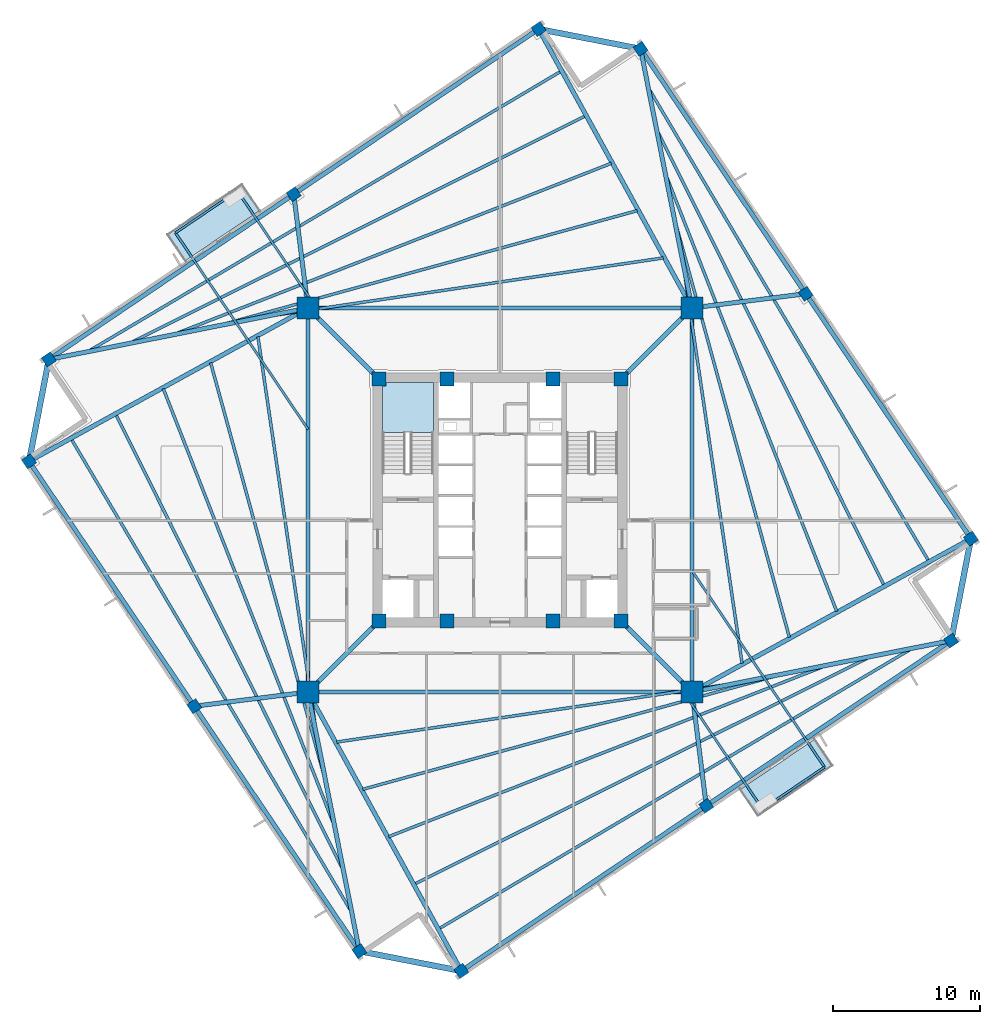
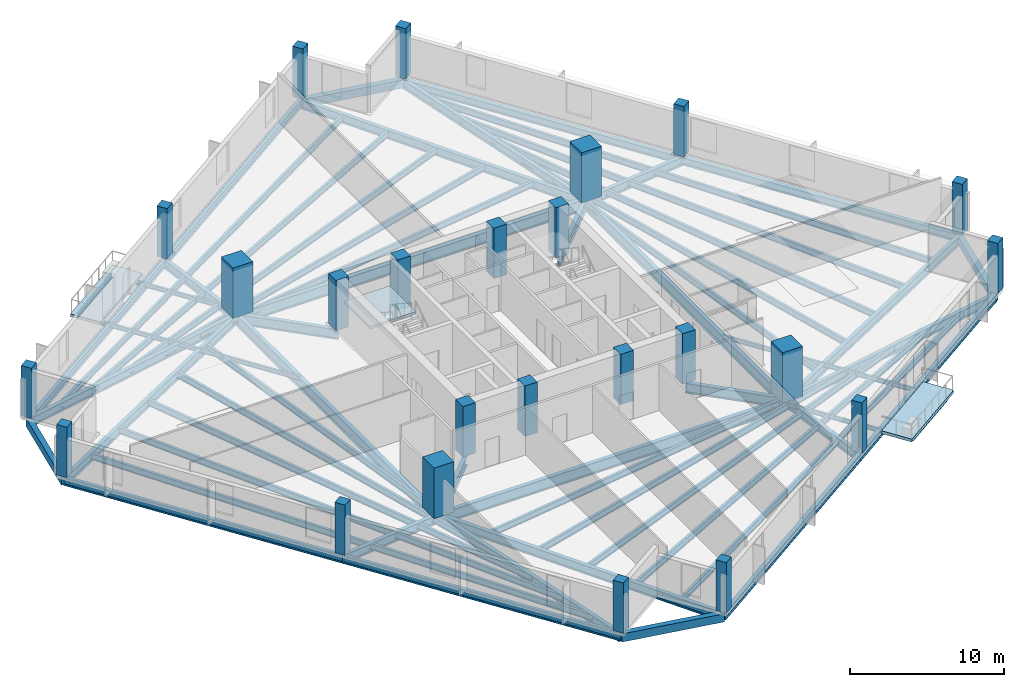
# One storey, part 1 of 8: 58 beams, 24 columns, 3 slabs, 1 element without a shape of its own.
"""IFC4 building model written with IfcOpenShell, lengths in metres."""

from ifc_helpers import new_model, si_unit, direction, frame, origin, origin_2d, place, context, subcontext, project, spatial, polyline, rectangle, i_section, outline, extrude, source, transform, mapped, material, layer, layer_set, material_profile, profile_set, type_object, element, aggregate, save


model = new_model("IFC4")

# Units and contexts
model_context = context("Model", 3, precision=1e-05, world=origin(), true_north=direction((0.0, 1.0)))
body_context = subcontext(model_context, "Body", "Model", "MODEL_VIEW")
ifc_project = project(units=[si_unit("LENGTHUNIT", "METRE"), si_unit("AREAUNIT", "SQUARE_METRE"), si_unit("VOLUMEUNIT", "CUBIC_METRE"), si_unit("PLANEANGLEUNIT", "RADIAN"), si_unit("MASSUNIT", "GRAM", prefix="KILO"), si_unit("THERMODYNAMICTEMPERATUREUNIT", "KELVIN")], contexts=[model_context])

# Site, building, storey
site_placement = place(None, origin())
site = spatial("IfcSite", under=ifc_project, at=site_placement, CompositionType="ELEMENT")
building_placement = place(site_placement, origin())
building = spatial("IfcBuilding", under=site, at=building_placement, Name="Kosmvard Interchange Tower", CompositionType="ELEMENT")
storey_placement = place(building_placement, frame((0.0, 0.0, 148.39990234375)))
storey = spatial("IfcBuildingStorey", under=building, at=storey_placement, Name="L35", CompositionType="ELEMENT", Elevation=148.39990234375)

# Columns
ifc_material_1 = material(Name="Concrete C60/75", Category="concrete")
ifc_material_profile_1 = material_profile(ifc_material_1, rectangle(XDim=0.949951171875, YDim=0.949951171875, at=origin_2d()), Name="CP 950x950")
ifc_profile_set_1 = profile_set([ifc_material_profile_1], Name="Concrete C60/75")
column_type_1 = type_object("IfcColumnType", Name="Core Boundary Pilaster 950x950 C60/75", PredefinedType="PILASTER", material=ifc_profile_set_1)
shared_shape_1 = source(origin(), body_context, "Body", "SweptSolid", [
    extrude(rectangle(XDim=0.949951171875, YDim=0.949951171875, at=origin_2d()), origin(), (0.0, 0.0, 1.0), 4.0),
])
for number, where, z_axis, x_axis, name in (
    (1, (-8.25, -8.25, 0.0), (0.0, 0.0, 1.0), (1.0, 0.0, 0.0), "L35 Core Pilaster CP1"),
    (2, (8.25, -8.25, 0.0), (0.0, 0.0, 1.0), (1.0, 0.0, 0.0), "L35 Core Pilaster CP2"),
    (3, (8.25, 8.25, 0.0), (0.0, 0.0, 1.0), (1.0, 0.0, 0.0), "L35 Core Pilaster CP3"),
    (4, (-8.25, 8.25, 0.0), (0.0, 0.0, 1.0), (1.0, 0.0, 0.0), "L35 Core Pilaster CP4"),
    (5, (-3.60009765625, -8.25, 0.0), (0.0, 0.0, 1.0), (1.0, 0.0, 0.0), "L35 Core Pilaster CP5"),
    (6, (3.60009765625, -8.25, 0.0), (0.0, 0.0, 1.0), (1.0, 0.0, 0.0), "L35 Core Pilaster CP6"),
    (7, (-3.60009765625, 8.25, 0.0), (0.0, 0.0, 1.0), (1.0, 0.0, 0.0), "L35 Core Pilaster CP7"),
    (8, (3.60009765625, 8.25, 0.0), (0.0, 0.0, 1.0), (1.0, 0.0, 0.0), "L35 Core Pilaster CP8"),
):
    element("IfcColumn", number, at=place(storey_placement, frame(where, z_axis=z_axis, x_axis=x_axis)), inside=storey, type_object=column_type_1, Name=name, PredefinedType="PILASTER", context=body_context, shape_type="MappedRepresentation", body=[
        mapped(shared_shape_1, transform((0.0, 0.0, 0.0), scale=1.0)),
    ])
ifc_material_profile_2 = material_profile(ifc_material_1, rectangle(XDim=1.5, YDim=1.5, at=origin_2d()), Name="MC 1500x1500")
ifc_profile_set_2 = profile_set([ifc_material_profile_2], Name="Concrete C60/75")
column_type_2 = type_object("IfcColumnType", Name="Composite Mega-Column 1500x1500 C60/75", PredefinedType="COLUMN", material=ifc_profile_set_2)
shared_shape_2 = source(origin(), body_context, "Body", "SweptSolid", [
    extrude(rectangle(XDim=1.5, YDim=1.5, at=origin_2d()), origin(), (0.0, 0.0, 1.0), 4.0),
])
for number, where, z_axis, x_axis, name in (
    (9, (-13.0810546875, -13.0810546875, 0.0), (0.0, 0.0, 1.0), (1.0, 0.0, 0.0), "L35 Corner Mega-Column MC1"),
    (10, (13.0810546875, -13.0810546875, 0.0), (0.0, 0.0, 1.0), (1.0, 0.0, 0.0), "L35 Corner Mega-Column MC2"),
    (11, (13.0810546875, 13.0810546875, 0.0), (0.0, 0.0, 1.0), (1.0, 0.0, 0.0), "L35 Corner Mega-Column MC3"),
    (12, (-13.0810546875, 13.0810546875, 0.0), (0.0, 0.0, 1.0), (1.0, 0.0, 0.0), "L35 Corner Mega-Column MC4"),
):
    element("IfcColumn", number, at=place(storey_placement, frame(where, z_axis=z_axis, x_axis=x_axis)), inside=storey, type_object=column_type_2, Name=name, PredefinedType="COLUMN", context=body_context, shape_type="MappedRepresentation", body=[
        mapped(shared_shape_2, transform((0.0, 0.0, 0.0), scale=1.0)),
    ])
ifc_material_2 = material(Name="Concrete C50/60", Category="concrete")
ifc_material_profile_3 = material_profile(ifc_material_2, rectangle(XDim=0.75, YDim=0.75, at=origin_2d()), Name="TC 750x750")
ifc_profile_set_3 = profile_set([ifc_material_profile_3], Name="Concrete C50/60")
column_type_3 = type_object("IfcColumnType", Name="Zone 3 Perimeter Pier Column 750x750 C50/60", PredefinedType="COLUMN", material=ifc_profile_set_3)
shared_shape_3 = source(origin(), body_context, "Body", "SweptSolid", [
    extrude(rectangle(XDim=0.75, YDim=0.75, at=origin_2d()), origin(), (0.0, 0.0, 1.0), 4.0),
])
for number, where, z_axis, x_axis, name in (
    (13, (-2.634765625, -32.083251953125, 0.0), (0.0, 0.0, 1.0), (0.829037572555, 0.559192903471, 0.0), "L35 Perimeter Pier Column TC-S1"),
    (14, (14.0498046875, -20.82958984375, 0.0), (0.0, 0.0, 1.0), (0.829037572555, 0.559192903471, 0.0), "L35 Perimeter Pier Column TC-S2"),
    (15, (30.734130859375, -9.575927734375, 0.0), (0.0, 0.0, 1.0), (0.829037572555, 0.559192903471, 0.0), "L35 Perimeter Pier Column TC-S3"),
    (16, (32.083251953125, -2.634765625, 0.0), (0.0, 0.0, 1.0), (0.829037572555, 0.559192903471, 0.0), "L35 Perimeter Pier Column TC-E1"),
    (17, (20.82958984375, 14.0498046875, 0.0), (0.0, 0.0, 1.0), (0.829037572555, 0.559192903471, 0.0), "L35 Perimeter Pier Column TC-E2"),
    (18, (9.575927734375, 30.734130859375, 0.0), (0.0, 0.0, 1.0), (0.829037572555, 0.559192903471, 0.0), "L35 Perimeter Pier Column TC-E3"),
    (19, (2.634765625, 32.083251953125, 0.0), (0.0, 0.0, 1.0), (0.829037572555, 0.559192903471, 0.0), "L35 Perimeter Pier Column TC-N1"),
    (20, (-14.0498046875, 20.82958984375, 0.0), (0.0, 0.0, 1.0), (0.829037572555, 0.559192903471, 0.0), "L35 Perimeter Pier Column TC-N2"),
    (21, (-30.734130859375, 9.575927734375, 0.0), (0.0, 0.0, 1.0), (0.829037572555, 0.559192903471, 0.0), "L35 Perimeter Pier Column TC-N3"),
    (22, (-32.083251953125, 2.634765625, 0.0), (0.0, 0.0, 1.0), (0.829037572555, 0.559192903471, 0.0), "L35 Perimeter Pier Column TC-W1"),
    (23, (-20.82958984375, -14.0498046875, 0.0), (0.0, 0.0, 1.0), (0.829037572555, 0.559192903471, 0.0), "L35 Perimeter Pier Column TC-W2"),
    (24, (-9.575927734375, -30.734130859375, 0.0), (0.0, 0.0, 1.0), (0.829037572555, 0.559192903471, 0.0), "L35 Perimeter Pier Column TC-W3"),
):
    element("IfcColumn", number, at=place(storey_placement, frame(where, z_axis=z_axis, x_axis=x_axis)), inside=storey, type_object=column_type_3, Name=name, PredefinedType="COLUMN", context=body_context, shape_type="MappedRepresentation", body=[
        mapped(shared_shape_3, transform((0.0, 0.0, 0.0), scale=1.0)),
    ])

# Beams
ifc_material_3 = material(Name="Steel S355", Category="steel")
ifc_material_profile_4 = material_profile(ifc_material_3, i_section(OverallWidth=0.14990234375, OverallDepth=0.300048828125, WebThickness=0.007080078125, FlangeThickness=0.0107421875, FilletRadius=0.014892578125, at=origin_2d()), Name="IPE 300")
ifc_profile_set_4 = profile_set([ifc_material_profile_4], Name="Steel S355")
beam_type_1 = type_object("IfcBeamType", Name="Balcony Edge Header Joist IPE 300 S355", PredefinedType="JOIST", material=ifc_profile_set_4)
shared_shape_4 = source(origin(), body_context, "Body", "SweptSolid", [
    extrude(i_section(OverallWidth=0.14990234375, OverallDepth=0.300048828125, WebThickness=0.007080078125, FlangeThickness=0.0107421875, FilletRadius=0.014892578125, at=origin_2d()), origin(), (0.0, 0.0, 1.0), 5.099853515625),
])
for number, where, z_axis, x_axis, name in (
    (25, (-17.87841796875, 21.051513671875, -0.409912109375), (-0.82904064614, -0.559188346666, 0.0), (0.559188346666, -0.82904064614, 0.0), "BM-L35-BJH1"),
    (26, (17.87841796875, -21.051513671875, -0.409912109375), (0.82904064614, 0.559188346666, 0.0), (-0.559188346666, 0.82904064614, 0.0), "BM-L35-BJH2"),
):
    element("IfcBeam", number, at=place(storey_placement, frame(where, z_axis=z_axis, x_axis=x_axis)), inside=storey, type_object=beam_type_1, Name=name, PredefinedType="JOIST", context=body_context, shape_type="MappedRepresentation", body=[
        mapped(shared_shape_4, transform((0.0, 0.0, 0.0), scale=1.0)),
    ])
ifc_material_profile_5 = material_profile(ifc_material_3, i_section(OverallWidth=0.300048828125, OverallDepth=0.800048828125, WebThickness=0.017578125, FlangeThickness=0.032958984375, FilletRadius=0.027099609375, at=origin_2d()), Name="HEB 800")
ifc_profile_set_5 = profile_set([ifc_material_profile_5], Name="Steel S355")
beam_type_2 = type_object("IfcBeamType", Name="Primary Mega-Frame Girder HEB 800 S355", PredefinedType="BEAM", material=ifc_profile_set_5)
shared_shape_5 = source(origin(), body_context, "Body", "SweptSolid", [
    extrude(i_section(OverallWidth=0.300048828125, OverallDepth=0.800048828125, WebThickness=0.017578125, FlangeThickness=0.032958984375, FilletRadius=0.027099609375, at=origin_2d()), origin(), (0.0, 0.0, 1.0), 6.83203125),
])
for number, where, z_axis, x_axis, name in (
    (27, (-8.25, -8.25, -0.659912109375), (-0.707106781187, -0.707106781187, 0.0), (0.707106781187, -0.707106781187, 0.0), "L35 Radial Mega-Frame Girder 1"),
    (28, (8.25, -8.25, -0.659912109375), (0.707106781187, -0.707106781187, 0.0), (0.707106781187, 0.707106781187, 0.0), "L35 Radial Mega-Frame Girder 2"),
    (29, (8.25, 8.25, -0.659912109375), (0.707106781187, 0.707106781187, 0.0), (-0.707106781187, 0.707106781187, 0.0), "L35 Radial Mega-Frame Girder 3"),
    (30, (-8.25, 8.25, -0.659912109375), (-0.707106781187, 0.707106781187, 0.0), (-0.707106781187, -0.707106781187, 0.0), "L35 Radial Mega-Frame Girder 4"),
):
    element("IfcBeam", number, at=place(storey_placement, frame(where, z_axis=z_axis, x_axis=x_axis)), inside=storey, type_object=beam_type_2, Name=name, PredefinedType="BEAM", context=body_context, shape_type="MappedRepresentation", body=[
        mapped(shared_shape_5, transform((0.0, 0.0, 0.0), scale=1.0)),
    ])
ifc_material_profile_6 = material_profile(ifc_material_3, i_section(OverallWidth=0.300048828125, OverallDepth=0.89990234375, WebThickness=0.0185546875, FlangeThickness=0.034912109375, FilletRadius=0.030029296875, at=origin_2d()), Name="HEB 900")
ifc_profile_set_6 = profile_set([ifc_material_profile_6], Name="Steel S355")
beam_type_3 = type_object("IfcBeamType", Name="Mega-Column Ring Girder HEB 900 S355", PredefinedType="BEAM", material=ifc_profile_set_6)
shared_shape_6 = source(origin(), body_context, "Body", "SweptSolid", [
    extrude(i_section(OverallWidth=0.300048828125, OverallDepth=0.89990234375, WebThickness=0.0185546875, FlangeThickness=0.034912109375, FilletRadius=0.030029296875, at=origin_2d()), origin(), (0.0, 0.0, 1.0), 26.162109375),
])
for number, where, z_axis, x_axis, name in (
    (31, (-13.0810546875, -13.0810546875, -0.7099609375), (1.0, 0.0, 0.0), (0.0, 1.0, 0.0), "L35 Mega-Column Ring Girder 1"),
    (32, (13.0810546875, -13.0810546875, -0.7099609375), (0.0, 1.0, 0.0), (-1.0, 0.0, 0.0), "L35 Mega-Column Ring Girder 2"),
    (33, (13.0810546875, 13.0810546875, -0.7099609375), (-1.0, 0.0, 0.0), (0.0, -1.0, 0.0), "L35 Mega-Column Ring Girder 3"),
    (34, (-13.0810546875, 13.0810546875, -0.7099609375), (0.0, -1.0, 0.0), (1.0, 0.0, 0.0), "L35 Mega-Column Ring Girder 4"),
):
    element("IfcBeam", number, at=place(storey_placement, frame(where, z_axis=z_axis, x_axis=x_axis)), inside=storey, type_object=beam_type_3, Name=name, PredefinedType="BEAM", context=body_context, shape_type="MappedRepresentation", body=[
        mapped(shared_shape_6, transform((0.0, 0.0, 0.0), scale=1.0)),
    ])
ifc_material_profile_7 = material_profile(ifc_material_3, i_section(OverallWidth=0.300048828125, OverallDepth=0.60009765625, WebThickness=0.015380859375, FlangeThickness=0.030029296875, FilletRadius=0.027099609375, at=origin_2d()), Name="HEB 600")
ifc_profile_set_7 = profile_set([ifc_material_profile_7], Name="Steel S355")
beam_type_4 = type_object("IfcBeamType", Name="Perimeter Tie Girder HEB 600 S355", PredefinedType="BEAM", material=ifc_profile_set_7)
shared_shape_7 = source(origin(), body_context, "Body", "SweptSolid", [
    extrude(i_section(OverallWidth=0.300048828125, OverallDepth=0.60009765625, WebThickness=0.015380859375, FlangeThickness=0.030029296875, FilletRadius=0.027099609375, at=origin_2d()), origin(), (0.0, 0.0, 1.0), 20.125),
])
for number, where, z_axis, x_axis, name in (
    (35, (-2.634765625, -32.083251953125, -0.559814453125), (0.82904270175, 0.559185299051, 0.0), (-0.559185299051, 0.82904270175, 0.0), "BM-L35-PR01"),
    (36, (14.0498046875, -20.82958984375, -0.559814453125), (0.829038908426, 0.559190922956, 0.0), (-0.559190922956, 0.829038908426, 0.0), "BM-L35-PR02"),
    (37, (32.083251953125, -2.634765625, -0.559814453125), (-0.559185299051, 0.82904270175, 0.0), (-0.82904270175, -0.559185299051, 0.0), "BM-L35-PR04"),
    (38, (20.82958984375, 14.0498046875, -0.559814453125), (-0.559190922956, 0.829038908426, 0.0), (-0.829038908426, -0.559190922956, 0.0), "BM-L35-PR05"),
    (39, (2.634765625, 32.083251953125, -0.559814453125), (-0.82904270175, -0.559185299051, 0.0), (0.559185299051, -0.82904270175, 0.0), "BM-L35-PR07"),
    (40, (-14.0498046875, 20.82958984375, -0.559814453125), (-0.829038908426, -0.559190922956, 0.0), (0.559190922956, -0.829038908426, 0.0), "BM-L35-PR08"),
    (41, (-32.083251953125, 2.634765625, -0.559814453125), (0.559185299051, -0.82904270175, 0.0), (0.82904270175, 0.559185299051, 0.0), "BM-L35-PR10"),
    (42, (-20.82958984375, -14.0498046875, -0.559814453125), (0.559190922956, -0.829038908426, 0.0), (0.829038908426, 0.559190922956, 0.0), "BM-L35-PR11"),
):
    element("IfcBeam", number, at=place(storey_placement, frame(where, z_axis=z_axis, x_axis=x_axis)), inside=storey, type_object=beam_type_4, Name=name, PredefinedType="BEAM", context=body_context, shape_type="MappedRepresentation", body=[
        mapped(shared_shape_7, transform((0.0, 0.0, 0.0), scale=1.0)),
    ])
ifc_material_profile_8 = material_profile(ifc_material_3, i_section(OverallWidth=0.300048828125, OverallDepth=0.699951171875, WebThickness=0.01708984375, FlangeThickness=0.031982421875, FilletRadius=0.027099609375, at=origin_2d()), Name="HEB 700")
ifc_profile_set_8 = profile_set([ifc_material_profile_8], Name="Steel S355")
beam_type_5 = type_object("IfcBeamType", Name="Primary Floor Girder HEB 700 S355", PredefinedType="BEAM", material=ifc_profile_set_8)
shared_shape_8 = source(origin(), body_context, "Body", "SweptSolid", [
    extrude(i_section(OverallWidth=0.300048828125, OverallDepth=0.699951171875, WebThickness=0.01708984375, FlangeThickness=0.031982421875, FilletRadius=0.027099609375, at=origin_2d()), origin(), (0.0, 0.0, 1.0), 21.684326171875),
])
for number, where, z_axis, x_axis, name in (
    (43, (-13.0810546875, -13.0810546875, -0.60986328125), (0.48174456271, -0.876311689012, 0.0), (0.876311689012, 0.48174456271, 0.0), "BM-L35-RD01"),
    (44, (13.0810546875, -13.0810546875, -0.60986328125), (0.876311689012, 0.48174456271, 0.0), (-0.48174456271, 0.876311689012, 0.0), "BM-L35-RD04"),
    (45, (13.0810546875, 13.0810546875, -0.60986328125), (-0.48174456271, 0.876311689012, 0.0), (-0.876311689012, -0.48174456271, 0.0), "BM-L35-RD07"),
    (46, (-13.0810546875, 13.0810546875, -0.60986328125), (-0.876311689012, -0.48174456271, 0.0), (0.48174456271, -0.876311689012, 0.0), "BM-L35-RD10"),
):
    element("IfcBeam", number, at=place(storey_placement, frame(where, z_axis=z_axis, x_axis=x_axis)), inside=storey, type_object=beam_type_5, Name=name, PredefinedType="BEAM", context=body_context, shape_type="MappedRepresentation", body=[
        mapped(shared_shape_8, transform((0.0, 0.0, 0.0), scale=1.0)),
    ])
shared_shape_9 = source(origin(), body_context, "Body", "SweptSolid", [
    extrude(i_section(OverallWidth=0.300048828125, OverallDepth=0.699951171875, WebThickness=0.01708984375, FlangeThickness=0.031982421875, FilletRadius=0.027099609375, at=origin_2d()), origin(), (0.0, 0.0, 1.0), 7.808837890625),
])
for number, where, z_axis, x_axis, name in (
    (47, (13.0810546875, -13.0810546875, -0.60986328125), (0.12405782224, -0.992274990485, 0.0), (0.992274990485, 0.12405782224, 0.0), "BM-L35-RD02"),
    (48, (13.0810546875, 13.0810546875, -0.60986328125), (0.992274990485, 0.12405782224, 0.0), (-0.12405782224, 0.992274990485, 0.0), "BM-L35-RD05"),
    (49, (-13.0810546875, 13.0810546875, -0.60986328125), (-0.12405782224, 0.992274990485, 0.0), (-0.992274990485, -0.12405782224, 0.0), "BM-L35-RD08"),
    (50, (-13.0810546875, -13.0810546875, -0.60986328125), (-0.992274990485, -0.12405782224, 0.0), (0.12405782224, -0.992274990485, 0.0), "BM-L35-RD11"),
):
    element("IfcBeam", number, at=place(storey_placement, frame(where, z_axis=z_axis, x_axis=x_axis)), inside=storey, type_object=beam_type_5, Name=name, PredefinedType="BEAM", context=body_context, shape_type="MappedRepresentation", body=[
        mapped(shared_shape_9, transform((0.0, 0.0, 0.0), scale=1.0)),
    ])
ifc_material_4 = material(Name="Precast concrete C45/55", Category="concrete")
ifc_material_profile_9 = material_profile(ifc_material_4, rectangle(XDim=0.39990234375, YDim=0.64990234375, at=origin_2d()), Name="SL 400x650")
ifc_profile_set_9 = profile_set([ifc_material_profile_9], Name="Precast concrete C45/55")
beam_type_6 = type_object("IfcBeamType", Name="Precast Spandrel Lintel 400x650 C45/55", PredefinedType="LINTEL", material=ifc_profile_set_9)
shared_shape_10 = source(origin(), body_context, "Body", "SweptSolid", [
    extrude(rectangle(XDim=0.39990234375, YDim=0.64990234375, at=origin_2d()), origin(), (0.0, 0.0, 1.0), 7.071044921875),
])
for number, where, z_axis, x_axis, name in (
    (51, (30.734130859375, -9.575927734375, -0.5849609375), (0.190794803533, 0.981629941956, 0.0), (-0.981629941956, 0.190794803533, 0.0), "BM-L35-SL1"),
    (52, (9.575927734375, 30.734130859375, -0.5849609375), (-0.981629941956, 0.190794803533, 0.0), (-0.190794803533, -0.981629941956, 0.0), "BM-L35-SL2"),
    (53, (-30.734130859375, 9.575927734375, -0.5849609375), (-0.190794803533, -0.981629941956, 0.0), (0.981629941956, -0.190794803533, 0.0), "BM-L35-SL3"),
    (54, (-9.575927734375, -30.734130859375, -0.5849609375), (0.981629941956, -0.190794803533, 0.0), (0.190794803533, 0.981629941956, 0.0), "BM-L35-SL4"),
):
    element("IfcBeam", number, at=place(storey_placement, frame(where, z_axis=z_axis, x_axis=x_axis)), inside=storey, type_object=beam_type_6, Name=name, PredefinedType="LINTEL", context=body_context, shape_type="MappedRepresentation", body=[
        mapped(shared_shape_10, transform((0.0, 0.0, 0.0), scale=1.0)),
    ])
shared_shape_11 = source(origin(), body_context, "Body", "SweptSolid", [
    extrude(i_section(OverallWidth=0.300048828125, OverallDepth=0.699951171875, WebThickness=0.01708984375, FlangeThickness=0.031982421875, FilletRadius=0.027099609375, at=origin_2d()), origin(), (0.0, 0.0, 1.0), 17.997802734375),
])
for number, where, z_axis, x_axis, name in (
    (55, (13.0810546875, -13.0810546875, -0.60986328125), (0.980852075755, 0.194754218148, 0.0), (-0.194754218148, 0.980852075755, 0.0), "BM-L35-RD03"),
    (56, (13.0810546875, 13.0810546875, -0.60986328125), (-0.194754218148, 0.980852075755, 0.0), (-0.980852075755, -0.194754218148, 0.0), "BM-L35-RD06"),
    (57, (-13.0810546875, 13.0810546875, -0.60986328125), (-0.980852075755, -0.194754218148, 0.0), (0.194754218148, -0.980852075755, 0.0), "BM-L35-RD09"),
    (58, (-13.0810546875, -13.0810546875, -0.60986328125), (0.194754218148, -0.980852075755, 0.0), (0.980852075755, 0.194754218148, 0.0), "BM-L35-RD12"),
):
    element("IfcBeam", number, at=place(storey_placement, frame(where, z_axis=z_axis, x_axis=x_axis)), inside=storey, type_object=beam_type_5, Name=name, PredefinedType="BEAM", context=body_context, shape_type="MappedRepresentation", body=[
        mapped(shared_shape_11, transform((0.0, 0.0, 0.0), scale=1.0)),
    ])
ifc_material_profile_10 = material_profile(ifc_material_3, i_section(OverallWidth=0.199951171875, OverallDepth=0.5, WebThickness=0.01025390625, FlangeThickness=0.01611328125, FilletRadius=0.02099609375, at=origin_2d()), Name="IPE 500")
ifc_profile_set_10 = profile_set([ifc_material_profile_10], Name="Steel S355")
beam_type_7 = type_object("IfcBeamType", Name="Standard Floor Joist IPE 500 S355", PredefinedType="JOIST", material=ifc_profile_set_10)
shared_shape_12 = source(origin(), body_context, "Body", "SweptSolid", [
    extrude(i_section(OverallWidth=0.199951171875, OverallDepth=0.5, WebThickness=0.01025390625, FlangeThickness=0.01611328125, FilletRadius=0.02099609375, at=origin_2d()), origin(), (0.0, 0.0, 1.0), 27.5966796875),
])
for number, where, z_axis, x_axis, name in (
    (59, (-11.12158203125, -16.48974609375, -0.510009765625), (0.989290070387, 0.145962860463, 0.0), (-0.145962860463, 0.989290070387, 0.0), "BM-L35-FJ01"),
    (60, (16.48974609375, -11.12158203125, -0.510009765625), (-0.145962860463, 0.989290070387, 0.0), (-0.989290070387, -0.145962860463, 0.0), "BM-L35-FJ06"),
    (61, (11.12158203125, 16.48974609375, -0.510009765625), (-0.989290070387, -0.145962860463, 0.0), (0.145962860463, -0.989290070387, 0.0), "BM-L35-FJ11"),
    (62, (-16.48974609375, 11.12158203125, -0.510009765625), (0.145962860463, -0.989290070387, 0.0), (0.989290070387, 0.145962860463, 0.0), "BM-L35-FJ16"),
):
    element("IfcBeam", number, at=place(storey_placement, frame(where, z_axis=z_axis, x_axis=x_axis)), inside=storey, type_object=beam_type_7, Name=name, PredefinedType="JOIST", context=body_context, shape_type="MappedRepresentation", body=[
        mapped(shared_shape_12, transform((0.0, 0.0, 0.0), scale=1.0)),
    ])
shared_shape_13 = source(origin(), body_context, "Body", "SweptSolid", [
    extrude(i_section(OverallWidth=0.199951171875, OverallDepth=0.5, WebThickness=0.01025390625, FlangeThickness=0.01611328125, FilletRadius=0.02099609375, at=origin_2d()), origin(), (0.0, 0.0, 1.0), 29.58642578125),
])
for number, where, z_axis, x_axis, name in (
    (63, (-9.34765625, -19.710693359375, -0.510009765625), (0.964296527467, 0.264824861209, 0.0), (-0.264824861209, 0.964296527467, 0.0), "BM-L35-FJ02"),
    (64, (19.710693359375, -9.34765625, -0.510009765625), (-0.264824861209, 0.964296527467, 0.0), (-0.964296527467, -0.264824861209, 0.0), "BM-L35-FJ07"),
    (65, (9.34765625, 19.710693359375, -0.510009765625), (-0.964296527467, -0.264824861209, 0.0), (0.264824861209, -0.964296527467, 0.0), "BM-L35-FJ12"),
    (66, (-19.710693359375, 9.34765625, -0.510009765625), (0.264824861209, -0.964296527467, 0.0), (0.964296527467, 0.264824861209, 0.0), "BM-L35-FJ17"),
):
    element("IfcBeam", number, at=place(storey_placement, frame(where, z_axis=z_axis, x_axis=x_axis)), inside=storey, type_object=beam_type_7, Name=name, PredefinedType="JOIST", context=body_context, shape_type="MappedRepresentation", body=[
        mapped(shared_shape_13, transform((0.0, 0.0, 0.0), scale=1.0)),
    ])
shared_shape_14 = source(origin(), body_context, "Body", "SweptSolid", [
    extrude(i_section(OverallWidth=0.199951171875, OverallDepth=0.5, WebThickness=0.01025390625, FlangeThickness=0.01611328125, FilletRadius=0.02099609375, at=origin_2d()), origin(), (0.0, 0.0, 1.0), 31.9580078125),
])
for number, where, z_axis, x_axis, name in (
    (67, (-7.574462890625, -22.93310546875, -0.510009765625), (0.931239172846, 0.364408565976, 0.0), (-0.364408565976, 0.931239172846, 0.0), "BM-L35-FJ03"),
    (68, (22.93310546875, -7.574462890625, -0.510009765625), (-0.364408565976, 0.931239172846, 0.0), (-0.931239172846, -0.364408565976, 0.0), "BM-L35-FJ08"),
    (69, (7.574462890625, 22.93310546875, -0.510009765625), (-0.931239172846, -0.364408565976, 0.0), (0.364408565976, -0.931239172846, 0.0), "BM-L35-FJ13"),
    (70, (-22.93310546875, 7.574462890625, -0.510009765625), (0.364408565976, -0.931239172846, 0.0), (0.931239172846, 0.364408565976, 0.0), "BM-L35-FJ18"),
):
    element("IfcBeam", number, at=place(storey_placement, frame(where, z_axis=z_axis, x_axis=x_axis)), inside=storey, type_object=beam_type_7, Name=name, PredefinedType="JOIST", context=body_context, shape_type="MappedRepresentation", body=[
        mapped(shared_shape_14, transform((0.0, 0.0, 0.0), scale=1.0)),
    ])
shared_shape_15 = source(origin(), body_context, "Body", "SweptSolid", [
    extrude(i_section(OverallWidth=0.199951171875, OverallDepth=0.5, WebThickness=0.01025390625, FlangeThickness=0.01611328125, FilletRadius=0.02099609375, at=origin_2d()), origin(), (0.0, 0.0, 1.0), 34.633056640625),
])
for number, where, z_axis, x_axis, name in (
    (71, (-5.801513671875, -26.156982421875, -0.510009765625), (0.894853974707, 0.446359007921, 0.0), (-0.446359007921, 0.894853974707, 0.0), "BM-L35-FJ04"),
    (72, (26.156982421875, -5.801513671875, -0.510009765625), (-0.446359007921, 0.894853974707, 0.0), (-0.894853974707, -0.446359007921, 0.0), "BM-L35-FJ09"),
    (73, (5.801513671875, 26.156982421875, -0.510009765625), (-0.894853974707, -0.446359007921, 0.0), (0.446359007921, -0.894853974707, 0.0), "BM-L35-FJ14"),
    (74, (-26.156982421875, 5.801513671875, -0.510009765625), (0.446359007921, -0.894853974707, 0.0), (0.894853974707, 0.446359007921, 0.0), "BM-L35-FJ19"),
):
    element("IfcBeam", number, at=place(storey_placement, frame(where, z_axis=z_axis, x_axis=x_axis)), inside=storey, type_object=beam_type_7, Name=name, PredefinedType="JOIST", context=body_context, shape_type="MappedRepresentation", body=[
        mapped(shared_shape_15, transform((0.0, 0.0, 0.0), scale=1.0)),
    ])
shared_shape_16 = source(origin(), body_context, "Body", "SweptSolid", [
    extrude(i_section(OverallWidth=0.199951171875, OverallDepth=0.5, WebThickness=0.01025390625, FlangeThickness=0.01611328125, FilletRadius=0.02099609375, at=origin_2d()), origin(), (0.0, 0.0, 1.0), 37.3701171875),
])
for number, where, z_axis, x_axis, name in (
    (75, (-4.1328125, -29.192138671875, -0.510009765625), (0.860316577026, 0.509760127212, 0.0), (-0.509760127212, 0.860316577026, 0.0), "BM-L35-FJ05"),
    (76, (29.192138671875, -4.1328125, -0.510009765625), (-0.509760127212, 0.860316577026, 0.0), (-0.860316577026, -0.509760127212, 0.0), "BM-L35-FJ10"),
    (77, (4.1328125, 29.192138671875, -0.510009765625), (-0.860316577026, -0.509760127212, 0.0), (0.509760127212, -0.860316577026, 0.0), "BM-L35-FJ15"),
    (78, (-29.192138671875, 4.1328125, -0.510009765625), (0.509760127212, -0.860316577026, 0.0), (0.860316577026, 0.509760127212, 0.0), "BM-L35-FJ20"),
):
    element("IfcBeam", number, at=place(storey_placement, frame(where, z_axis=z_axis, x_axis=x_axis)), inside=storey, type_object=beam_type_7, Name=name, PredefinedType="JOIST", context=body_context, shape_type="MappedRepresentation", body=[
        mapped(shared_shape_16, transform((0.0, 0.0, 0.0), scale=1.0)),
    ])
ifc_material_profile_11 = material_profile(ifc_material_3, i_section(OverallWidth=0.159912109375, OverallDepth=0.330078125, WebThickness=0.007568359375, FlangeThickness=0.011474609375, FilletRadius=0.01806640625, at=origin_2d()), Name="IPE 330")
ifc_profile_set_11 = profile_set([ifc_material_profile_11], Name="Steel S355")
beam_type_8 = type_object("IfcBeamType", Name="Balcony Cantilever Joist IPE 330 S355", PredefinedType="JOIST", material=ifc_profile_set_11)
shared_shape_17 = source(origin(), body_context, "Body", "SweptSolid", [
    extrude(i_section(OverallWidth=0.159912109375, OverallDepth=0.330078125, WebThickness=0.007568359375, FlangeThickness=0.011474609375, FilletRadius=0.01806640625, at=origin_2d()), origin(), (0.0, 0.0, 1.0), 9.6142578125),
])
for number, where, z_axis, x_axis, name in (
    (79, (-12.502197265625, 13.0810546875, -0.4248046875), (-0.559198496377, 0.829033800065, 0.0), (-0.829033800065, -0.559198496377, 0.0), "BM-L35-BJ1"),
    (80, (12.502197265625, -13.0810546875, -0.4248046875), (0.559198496377, -0.829033800065, 0.0), (0.829033800065, 0.559198496377, 0.0), "BM-L35-BJ2"),
):
    element("IfcBeam", number, at=place(storey_placement, frame(where, z_axis=z_axis, x_axis=x_axis)), inside=storey, type_object=beam_type_8, Name=name, PredefinedType="JOIST", context=body_context, shape_type="MappedRepresentation", body=[
        mapped(shared_shape_17, transform((0.0, 0.0, 0.0), scale=1.0)),
    ])
shared_shape_18 = source(origin(), body_context, "Body", "SweptSolid", [
    extrude(i_section(OverallWidth=0.159912109375, OverallDepth=0.330078125, WebThickness=0.007568359375, FlangeThickness=0.011474609375, FilletRadius=0.01806640625, at=origin_2d()), origin(), (0.0, 0.0, 1.0), 16.14013671875),
])
for number, where, z_axis, x_axis, name in (
    (81, (-13.0810546875, 4.81884765625, -0.4248046875), (-0.559188092129, 0.829040817826, 0.0), (-0.829040817826, -0.559188092129, 0.0), "BM-L35-BJB1"),
    (82, (13.0810546875, -4.81884765625, -0.4248046875), (0.559188092129, -0.829040817826, 0.0), (0.829040817826, 0.559188092129, 0.0), "BM-L35-BJB2"),
):
    element("IfcBeam", number, at=place(storey_placement, frame(where, z_axis=z_axis, x_axis=x_axis)), inside=storey, type_object=beam_type_8, Name=name, PredefinedType="JOIST", context=body_context, shape_type="MappedRepresentation", body=[
        mapped(shared_shape_18, transform((0.0, 0.0, 0.0), scale=1.0)),
    ])

# Stair, slab
stair_type = type_object("IfcStairType", Name="Dog-Leg Core Exit Stair H4000 C50/60", PredefinedType="HALF_TURN_STAIR", material=ifc_material_2)
stair_placement = place(storey_placement, origin())
stair = element("IfcStair", 83, at=stair_placement, inside=storey, type_object=stair_type, Name="L35 Protected Exit Stair ST-1", PredefinedType="HALF_TURN_STAIR")
ifc_layer_1 = layer(ifc_material_2, 0.199951171875, Name="Concrete C50/60")
ifc_layer_set_1 = layer_set([ifc_layer_1], Name="Concrete C50/60")
slab_type_1 = type_object("IfcSlabType", Name="Stair Half-Landing Slab 200 C50/60", PredefinedType="LANDING", material=ifc_layer_set_1)
slab_1_placement = place(storey_placement, frame((0.0, 0.0, 1.800048828125)))
slab_1 = element("IfcSlab", 84, at=slab_1_placement, type_object=slab_type_1, Name="ST-1 landing 1", PredefinedType="LANDING", context=body_context, shape_type="SweptSolid", body=[
    extrude(outline(polyline([(-4.5400390625, 4.60009765625), (-4.5400390625, 8.0), (-8.0, 8.0), (-8.0, 4.60009765625), (-4.5400390625, 4.60009765625)])), origin(), (0.0, 0.0, 1.0), 0.199951171875),
])
aggregate(stair, [slab_1])

# Slabs
ifc_layer_2 = layer(ifc_material_2, 0.22998046875, Name="Concrete C50/60")
ifc_layer_set_2 = layer_set([ifc_layer_2], Name="Concrete C50/60")
slab_type_2 = type_object("IfcSlabType", Name="Tree-Planter Cantilever Balcony Slab 230 C50/60", PredefinedType="FLOOR", material=ifc_layer_set_2)
slab_2_placement = place(storey_placement, frame((0.0, 0.0, -0.22998046875)))
element("IfcSlab", 85, at=slab_2_placement, inside=storey, type_object=slab_type_2, Name="L35 Outdoor Terrace Balcony Slab BAL-L35-NE", PredefinedType="FLOOR", context=body_context, shape_type="SweptSolid", body=[
    extrude(outline(polyline([(-21.47216796875, 16.275390625), (-16.33203125, 19.742431640625), (-17.562255859375, 21.56640625), (-22.702392578125, 18.099365234375), (-21.47216796875, 16.275390625)])), origin(), (0.0, 0.0, 1.0), 0.22998046875),
])
slab_3_placement = place(storey_placement, frame((0.0, 0.0, -0.22998046875)))
element("IfcSlab", 86, at=slab_3_placement, inside=storey, type_object=slab_type_2, Name="L35 Outdoor Terrace Balcony Slab BAL-L35-SW", PredefinedType="FLOOR", context=body_context, shape_type="SweptSolid", body=[
    extrude(outline(polyline([(17.562255859375, -21.56640625), (22.702392578125, -18.099365234375), (21.47216796875, -16.275390625), (16.33203125, -19.742431640625), (17.562255859375, -21.56640625)])), origin(), (0.0, 0.0, 1.0), 0.22998046875),
])

save(model, "model.ifc")
